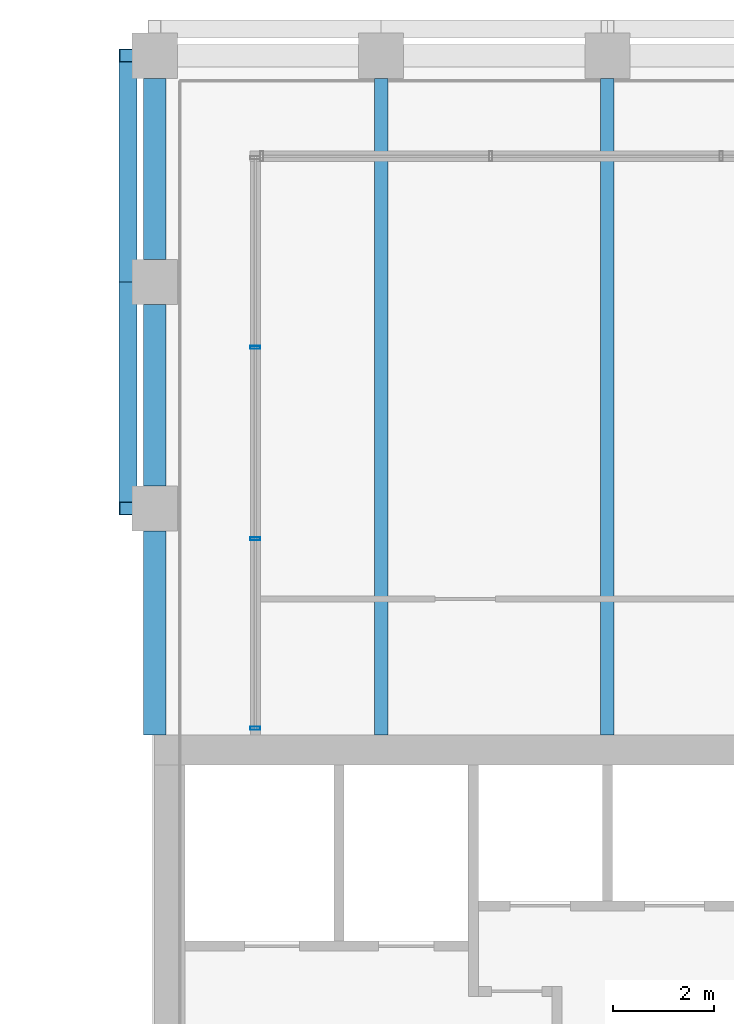
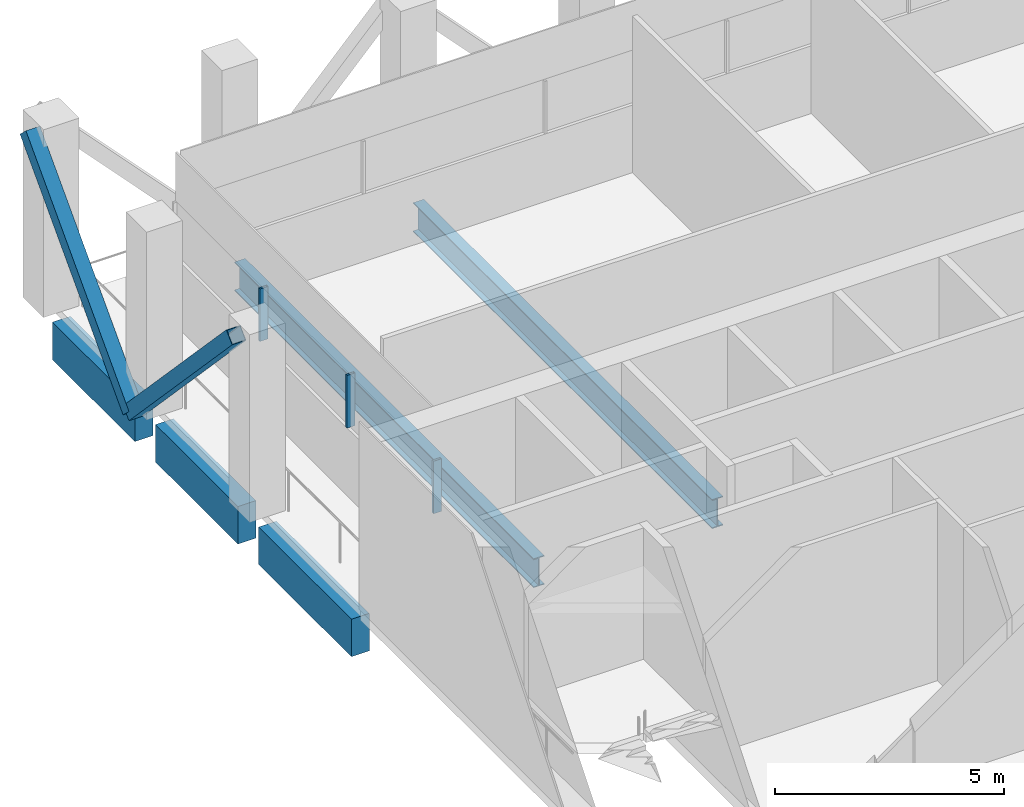
# One storey, part 15 of 34: 5 beams, 5 members, 1 element without a shape of its own.
"""IFC4 building model written with IfcOpenShell, lengths in metres."""

from ifc_helpers import new_model, si_unit, direction, frame, origin, origin_2d, place, context, subcontext, project, spatial, rectangle, hollow_rectangle, i_section, extrude, material, material_profile, profile_set, type_object, element, aggregate, save


model = new_model("IFC4")

# Units and contexts
model_context = context("Model", 3, precision=1e-05, world=origin(), true_north=direction((0.0, 1.0)))
body_context = subcontext(model_context, "Body", "Model", "MODEL_VIEW")
ifc_project = project(units=[si_unit("LENGTHUNIT", "METRE"), si_unit("AREAUNIT", "SQUARE_METRE"), si_unit("VOLUMEUNIT", "CUBIC_METRE"), si_unit("PLANEANGLEUNIT", "RADIAN"), si_unit("MASSUNIT", "GRAM", prefix="KILO")], contexts=[model_context])

# Site, building, storey
site_placement = place(None, origin())
site = spatial("IfcSite", under=ifc_project, at=site_placement, CompositionType="ELEMENT")
building_placement = place(site_placement, origin())
building = spatial("IfcBuilding", under=site, at=building_placement, Name="Altepetl Exchange Towers", CompositionType="ELEMENT")
storey_placement = place(building_placement, frame((0.0, 0.0, 190.60009765625)))
storey = spatial("IfcBuildingStorey", under=building, at=storey_placement, Name="L48 Refuge", CompositionType="ELEMENT", Elevation=190.60009765625)

# Members
ifc_material_1 = material(Name="Steel S355", Category="steel")
ifc_material_profile_1 = material_profile(ifc_material_1, hollow_rectangle(XDim=0.35595703125, YDim=0.35595703125, WallThickness=0.014892578125, at=origin_2d()), Name="HSS356X356X15.9")
ifc_profile_set_1 = profile_set([ifc_material_profile_1], Name="Steel S355")
member_type_1 = type_object("IfcMemberType", Name="Belt diagonal HSS356X356X15.9", PredefinedType="BRACE", material=ifc_profile_set_1)
for number, where, z_axis, x_axis, name in (
    (1, (39.969970703125, 72.0, 4.75), (0.0, -0.687744647911, -0.725952683906), (1.0, 0.0, 0.0), "brc:A:L48:019"),
    (2, (39.969970703125, 67.5, 0.0), (0.0, -0.687744647911, 0.725952683906), (1.0, 0.0, 0.0), "brc:A:L48:020"),
):
    element("IfcMember", number, at=place(storey_placement, frame(where, z_axis=z_axis, x_axis=x_axis)), inside=storey, type_object=member_type_1, Name=name, PredefinedType="BRACE", context=body_context, shape_type="SweptSolid", body=[
        extrude(hollow_rectangle(XDim=0.35595703125, YDim=0.35595703125, WallThickness=0.014892578125, at=origin_2d()), origin(), (0.0, 0.0, 1.0), 6.543212890625),
    ])

# Beams
ifc_material_profile_2 = material_profile(ifc_material_1, i_section(OverallWidth=0.26806640625, OverallDepth=0.77392578125, WebThickness=0.015380859375, FlangeThickness=0.025390625, at=origin_2d()), Name="W30X132")
ifc_profile_set_2 = profile_set([ifc_material_profile_2], Name="Steel S355")
beam_type_1 = type_object("IfcBeamType", Name="Floor beam W30X132", PredefinedType="BEAM", material=ifc_profile_set_2)
for number, where, z_axis, x_axis, name in (
    (3, (45.0, 58.5, -0.587158203125), (0.0, 1.0, 0.0), (-1.0, 0.0, 0.0), "bm:A:L48:000"),
    (4, (49.5, 58.5, -0.587158203125), (0.0, 1.0, 0.0), (-1.0, 0.0, 0.0), "bm:A:L48:001"),
):
    element("IfcBeam", number, at=place(storey_placement, frame(where, z_axis=z_axis, x_axis=x_axis)), inside=storey, type_object=beam_type_1, Name=name, PredefinedType="BEAM", context=body_context, shape_type="SweptSolid", body=[
        extrude(i_section(OverallWidth=0.26806640625, OverallDepth=0.77392578125, WebThickness=0.015380859375, FlangeThickness=0.025390625, at=origin_2d()), origin(), (0.0, 0.0, 1.0), 13.050048828125),
    ])

# Curtain wall, members
ifc_material_2 = material(Name="Aluminium 6063-T6 glazing", Category="aluminium")
curtain_wall_type = type_object("IfcCurtainWallType", Name="Refuge slit glazing system", PredefinedType="NOTDEFINED", material=ifc_material_2)
curtain_wall_placement = place(storey_placement, origin())
curtain_wall = element("IfcCurtainWall", 5, at=curtain_wall_placement, inside=storey, type_object=curtain_wall_type, Name="CW3 run", PredefinedType="NOTDEFINED")
ifc_material_3 = material(Name="Aluminium 6063-T6", Category="aluminium")
ifc_material_profile_3 = material_profile(ifc_material_3, hollow_rectangle(XDim=0.06005859375, YDim=0.199951171875, WallThickness=0.0029296875, at=origin_2d()), Name="Mullion 60x200 aluminium")
ifc_profile_set_3 = profile_set([ifc_material_profile_3], Name="Aluminium 6063-T6")
member_type_2 = type_object("IfcMemberType", Name="Mullion 60x200 aluminium", PredefinedType="MULLION", material=ifc_profile_set_3)
member_1_placement = place(storey_placement, frame((42.5, 66.199951171875, 1.7998046875), z_axis=(0.0, 0.0, 1.0), x_axis=(0.0, -1.0, 0.0)))
member_1 = element("IfcMember", 6, at=member_1_placement, type_object=member_type_2, Name="MU2 mullion", PredefinedType="MULLION", context=body_context, shape_type="SweptSolid", body=[
    extrude(hollow_rectangle(XDim=0.06005859375, YDim=0.199951171875, WallThickness=0.0029296875, at=origin_2d()), origin(), (0.0, 0.0, 1.0), 1.400146484375),
])
member_2_placement = place(storey_placement, frame((42.5, 62.39990234375, 1.7998046875), z_axis=(0.0, 0.0, 1.0), x_axis=(0.0, -1.0, 0.0)))
member_2 = element("IfcMember", 7, at=member_2_placement, type_object=member_type_2, Name="MU2 mullion", PredefinedType="MULLION", context=body_context, shape_type="SweptSolid", body=[
    extrude(hollow_rectangle(XDim=0.06005859375, YDim=0.199951171875, WallThickness=0.0029296875, at=origin_2d()), origin(), (0.0, 0.0, 1.0), 1.400146484375),
])
member_3_placement = place(storey_placement, frame((42.5, 58.6298828125, 1.7998046875), z_axis=(0.0, 0.0, 1.0), x_axis=(0.0, -1.0, 0.0)))
member_3 = element("IfcMember", 8, at=member_3_placement, type_object=member_type_2, Name="MU2 mullion", PredefinedType="MULLION", context=body_context, shape_type="SweptSolid", body=[
    extrude(hollow_rectangle(XDim=0.06005859375, YDim=0.199951171875, WallThickness=0.0029296875, at=origin_2d()), origin(), (0.0, 0.0, 1.0), 1.400146484375),
])
aggregate(curtain_wall, [member_1, member_2, member_3])

# Beams
ifc_material_4 = material(Name="Concrete C50/60 precast with tezontle facing", Category="concrete")
ifc_material_profile_4 = material_profile(ifc_material_4, rectangle(XDim=0.449951171875, YDim=1.0, at=origin_2d()), Name="450 x 1000")
ifc_profile_set_4 = profile_set([ifc_material_profile_4], Name="Concrete C50/60 precast with tezontle facing")
beam_type_2 = type_object("IfcBeamType", Name="Spandrel beam 450x1000 tezontle", PredefinedType="SPANDREL", material=ifc_profile_set_4)
for number, where, z_axis, x_axis, name in (
    (9, (40.5, 71.550048828125, -0.7001953125), (0.0, -1.0, 0.0), (1.0, 0.0, 0.0), "sp:A:L48:030"),
    (10, (40.5, 67.050048828125, -0.7001953125), (0.0, -1.0, 0.0), (1.0, 0.0, 0.0), "sp:A:L48:031"),
):
    element("IfcBeam", number, at=place(storey_placement, frame(where, z_axis=z_axis, x_axis=x_axis)), inside=storey, type_object=beam_type_2, Name=name, PredefinedType="SPANDREL", context=body_context, shape_type="SweptSolid", body=[
        extrude(rectangle(XDim=0.449951171875, YDim=1.0, at=origin_2d()), origin(), (0.0, 0.0, 1.0), 3.60009765625),
    ])
beam_placement = place(storey_placement, frame((40.5, 62.550048828125, -0.7001953125), z_axis=(0.0, -1.0, 0.0), x_axis=(1.0, 0.0, 0.0)))
element("IfcBeam", 11, at=beam_placement, inside=storey, type_object=beam_type_2, Name="sp:A:L48:032", PredefinedType="SPANDREL", context=body_context, shape_type="SweptSolid", body=[
    extrude(rectangle(XDim=0.449951171875, YDim=1.0, at=origin_2d()), origin(), (0.0, 0.0, 1.0), 4.050048828125),
])

save(model, "model.ifc")
